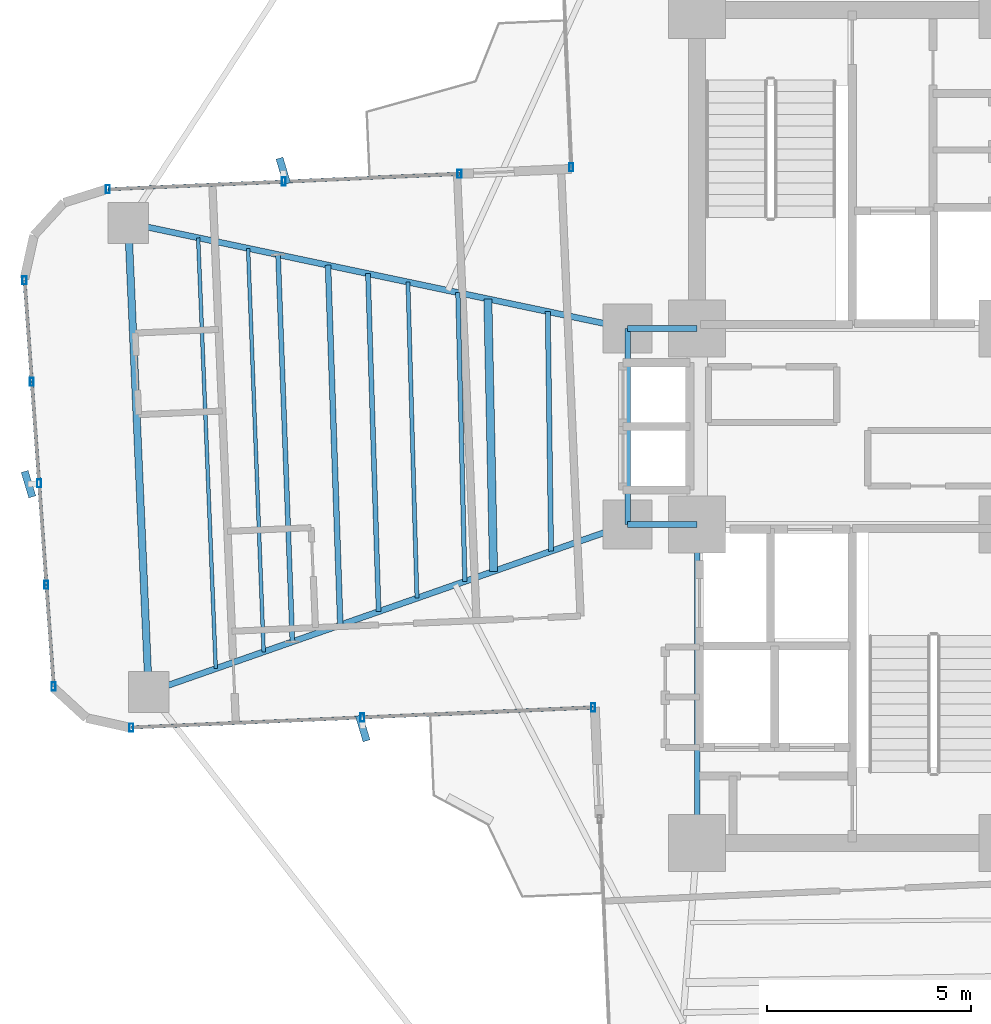
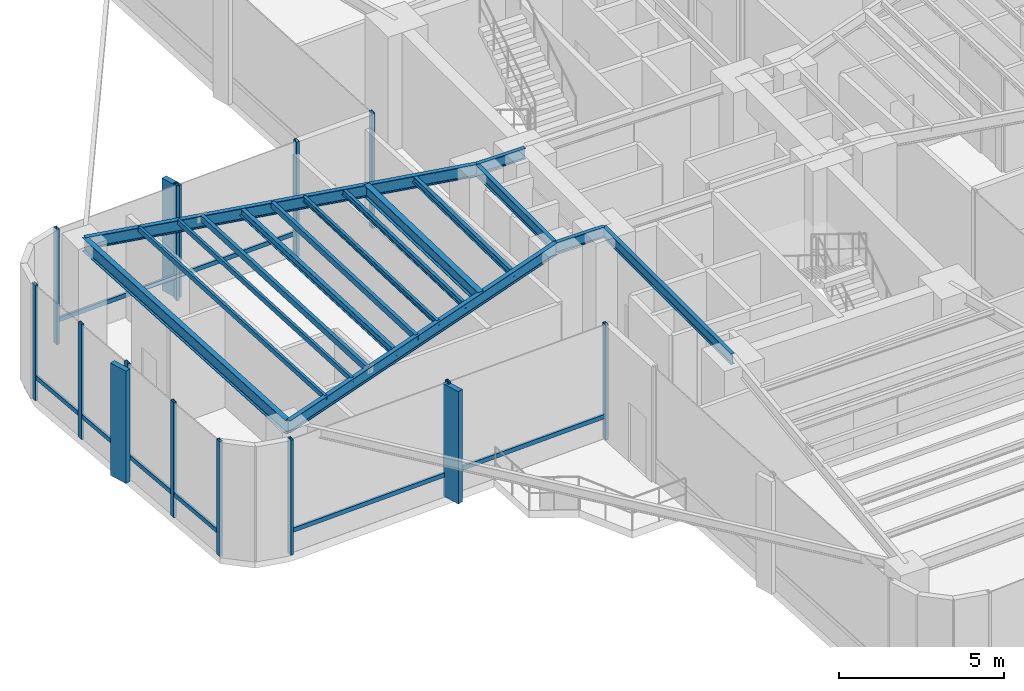
# One storey, part 4 of 23: 23 members, 16 beams, 4 elements without a shape of their own.
"""IFC4 building model written with IfcOpenShell, lengths in metres."""

from ifc_helpers import new_model, si_unit, direction, frame, origin, origin_2d, place, context, subcontext, project, spatial, rectangle, hollow_rectangle, i_section, extrude, source, transform, mapped, material, material_profile, profile_set, type_object, element, aggregate, save


model = new_model("IFC4")

# Units and contexts
model_context = context("Model", 3, precision=1e-05, world=origin(), true_north=direction((0.0, 1.0)))
body_context = subcontext(model_context, "Body", "Model", "MODEL_VIEW")
ifc_project = project(units=[si_unit("LENGTHUNIT", "METRE"), si_unit("AREAUNIT", "SQUARE_METRE"), si_unit("VOLUMEUNIT", "CUBIC_METRE"), si_unit("PLANEANGLEUNIT", "RADIAN"), si_unit("MASSUNIT", "GRAM", prefix="KILO")], contexts=[model_context])

# Site, building, storey
site_placement = place(None, origin())
site = spatial("IfcSite", under=ifc_project, at=site_placement, CompositionType="ELEMENT")
building_placement = place(site_placement, origin())
building = spatial("IfcBuilding", under=site, at=building_placement, Name="Sahyath Konkavel Grand Hotel", CompositionType="ELEMENT")
storey_placement = place(building_placement, frame((0.0, 0.0, 106.949951171875)))
storey = spatial("IfcBuildingStorey", under=building, at=storey_placement, Name="L29", CompositionType="ELEMENT", Elevation=106.949951171875)

# Beams
ifc_material_1 = material(Name="Steel E350", Category="steel")
ifc_material_profile_1 = material_profile(ifc_material_1, i_section(OverallWidth=0.139892578125, OverallDepth=0.39990234375, WebThickness=0.0087890625, FlangeThickness=0.01611328125, FilletRadius=0.013916015625, at=origin_2d()), Name="ISMB 400")
ifc_profile_set_1 = profile_set([ifc_material_profile_1], Name="Steel E350")
beam_type_1 = type_object("IfcBeamType", Name="BM-ISMB400", PredefinedType="BEAM", material=ifc_profile_set_1)
shared_shape_1 = source(origin(), body_context, "Body", "SweptSolid", [
    extrude(i_section(OverallWidth=0.139892578125, OverallDepth=0.39990234375, WebThickness=0.0087890625, FlangeThickness=0.01611328125, FilletRadius=0.013916015625, at=origin_2d()), origin(), (0.0, 0.0, 1.0), 7.800048828125),
])
beam_1_placement = place(storey_placement, frame((-3.800048828125, -10.199951171875, 4.06005859375), z_axis=(0.0, 1.0, 0.0), x_axis=(-1.0, 0.0, 0.0)))
element("IfcBeam", 1, at=beam_1_placement, inside=storey, type_object=beam_type_1, Name="str:bm:L29:SC-W", PredefinedType="BEAM", context=body_context, shape_type="MappedRepresentation", body=[
    mapped(shared_shape_1, transform((0.0, 0.0, 0.0), scale=1.0)),
])
shared_shape_2 = source(origin(), body_context, "Body", "SweptSolid", [
    extrude(i_section(OverallWidth=0.139892578125, OverallDepth=0.39990234375, WebThickness=0.0087890625, FlangeThickness=0.01611328125, FilletRadius=0.013916015625, at=origin_2d()), origin(), (0.0, 0.0, 1.0), 1.699951171875),
])
for number, where, z_axis, x_axis, name in (
    (2, (-5.5, 2.39990234375, 4.06005859375), (1.0, 0.0, 0.0), (0.0, 1.0, 0.0), "str:bm:L29:HB-NW"),
    (3, (-5.5, -2.39990234375, 4.06005859375), (1.0, 0.0, 0.0), (0.0, 1.0, 0.0), "str:bm:L29:HB-SW"),
):
    element("IfcBeam", number, at=place(storey_placement, frame(where, z_axis=z_axis, x_axis=x_axis)), inside=storey, type_object=beam_type_1, Name=name, PredefinedType="BEAM", context=body_context, shape_type="MappedRepresentation", body=[
        mapped(shared_shape_2, transform((0.0, 0.0, 0.0), scale=1.0)),
    ])
shared_shape_3 = source(origin(), body_context, "Body", "SweptSolid", [
    extrude(i_section(OverallWidth=0.139892578125, OverallDepth=0.39990234375, WebThickness=0.0087890625, FlangeThickness=0.01611328125, FilletRadius=0.013916015625, at=origin_2d()), origin(), (0.0, 0.0, 1.0), 4.7998046875),
])
beam_2_placement = place(storey_placement, frame((-5.5, -2.39990234375, 4.06005859375), z_axis=(0.0, 1.0, 0.0), x_axis=(-1.0, 0.0, 0.0)))
element("IfcBeam", 4, at=beam_2_placement, inside=storey, type_object=beam_type_1, Name="str:bm:L29:HB-W", PredefinedType="BEAM", context=body_context, shape_type="MappedRepresentation", body=[
    mapped(shared_shape_3, transform((0.0, 0.0, 0.0), scale=1.0)),
])
ifc_material_profile_2 = material_profile(ifc_material_1, i_section(OverallWidth=0.14990234375, OverallDepth=0.449951171875, WebThickness=0.009521484375, FlangeThickness=0.017333984375, FilletRadius=0.014892578125, at=origin_2d()), Name="ISMB 450")
ifc_profile_set_2 = profile_set([ifc_material_profile_2], Name="Steel E350")
beam_type_2 = type_object("IfcBeamType", Name="BM-ISMB450", PredefinedType="BEAM", material=ifc_profile_set_2)
shared_shape_4 = source(origin(), body_context, "Body", "SweptSolid", [
    extrude(i_section(OverallWidth=0.14990234375, OverallDepth=0.449951171875, WebThickness=0.009521484375, FlangeThickness=0.017333984375, FilletRadius=0.014892578125, at=origin_2d()), origin(), (0.0, 0.0, 1.0), 12.50341796875),
])
beam_3_placement = place(storey_placement, frame((-5.5, 2.39990234375, 4.03515625), z_axis=(-0.978457911392, 0.206446398937, 0.0), x_axis=(-0.206446398937, -0.978457911392, 0.0)))
element("IfcBeam", 5, at=beam_3_placement, inside=storey, type_object=beam_type_2, Name="L29 Cruciform Radial Girder WA", PredefinedType="BEAM", context=body_context, shape_type="MappedRepresentation", body=[
    mapped(shared_shape_4, transform((0.0, 0.0, 0.0), scale=1.0)),
])
shared_shape_5 = source(origin(), body_context, "Body", "SweptSolid", [
    extrude(i_section(OverallWidth=0.14990234375, OverallDepth=0.449951171875, WebThickness=0.009521484375, FlangeThickness=0.017333984375, FilletRadius=0.014892578125, at=origin_2d()), origin(), (0.0, 0.0, 1.0), 12.430908203125),
])
beam_4_placement = place(storey_placement, frame((-5.5, -2.39990234375, 4.03515625), z_axis=(-0.943819157235, -0.330462400941, 0.0), x_axis=(0.330462400941, -0.943819157235, 0.0)))
element("IfcBeam", 6, at=beam_4_placement, inside=storey, type_object=beam_type_2, Name="L29 Cruciform Radial Girder WB", PredefinedType="BEAM", context=body_context, shape_type="MappedRepresentation", body=[
    mapped(shared_shape_5, transform((0.0, 0.0, 0.0), scale=1.0)),
])
ifc_material_profile_3 = material_profile(ifc_material_1, i_section(OverallWidth=0.179931640625, OverallDepth=0.5, WebThickness=0.01025390625, FlangeThickness=0.01708984375, FilletRadius=0.01708984375, at=origin_2d()), Name="ISMB 500")
ifc_profile_set_3 = profile_set([ifc_material_profile_3], Name="Steel E350")
beam_type_3 = type_object("IfcBeamType", Name="BM-ISMB500", PredefinedType="BEAM", material=ifc_profile_set_3)
shared_shape_6 = source(origin(), body_context, "Body", "SweptSolid", [
    extrude(i_section(OverallWidth=0.179931640625, OverallDepth=0.5, WebThickness=0.01025390625, FlangeThickness=0.01708984375, FilletRadius=0.01708984375, at=origin_2d()), origin(), (0.0, 0.0, 1.0), 11.5),
])
beam_5_placement = place(storey_placement, frame((-17.734130859375, 4.981201171875, 4.010009765625), z_axis=(0.043627008892, -0.99904788879, 0.0), x_axis=(0.99904788879, 0.043627008892, 0.0)))
element("IfcBeam", 7, at=beam_5_placement, inside=storey, type_object=beam_type_3, Name="L29 Wing Tip Edge Beam W", PredefinedType="BEAM", context=body_context, shape_type="MappedRepresentation", body=[
    mapped(shared_shape_6, transform((0.0, 0.0, 0.0), scale=1.0)),
])
ifc_material_profile_4 = material_profile(ifc_material_1, i_section(OverallWidth=0.199951171875, OverallDepth=0.449951171875, WebThickness=0.00927734375, FlangeThickness=0.015380859375, FilletRadius=0.01611328125, at=origin_2d()), Name="ISWB 450")
ifc_profile_set_4 = profile_set([ifc_material_profile_4], Name="Steel E350")
beam_type_4 = type_object("IfcBeamType", Name="BM-ISWB450", PredefinedType="BEAM", material=ifc_profile_set_4)
shared_shape_7 = source(origin(), body_context, "Body", "SweptSolid", [
    extrude(i_section(OverallWidth=0.199951171875, OverallDepth=0.449951171875, WebThickness=0.00927734375, FlangeThickness=0.015380859375, FilletRadius=0.01611328125, at=origin_2d()), origin(), (0.0, 0.0, 1.0), 6.674560546875),
])
beam_6_placement = place(storey_placement, frame((-8.925537109375, 3.122802734375, 4.03515625), z_axis=(0.021032188543, -0.999778799058, 0.0), x_axis=(0.999778799058, 0.021032188543, 0.0)))
element("IfcBeam", 8, at=beam_6_placement, inside=storey, type_object=beam_type_4, Name="L29 Secondary Floor Beam W-1", PredefinedType="BEAM", context=body_context, shape_type="MappedRepresentation", body=[
    mapped(shared_shape_7, transform((0.0, 0.0, 0.0), scale=1.0)),
])
ifc_material_profile_5 = material_profile(ifc_material_1, hollow_rectangle(XDim=0.1201171875, YDim=0.219970703125, WallThickness=0.010009765625, at=origin_2d()), Name="RHS 220x120x10")
ifc_profile_set_5 = profile_set([ifc_material_profile_5], Name="Steel E350")
beam_type_5 = type_object("IfcBeamType", Name="BM-RHS220", PredefinedType="BEAM", material=ifc_profile_set_5)
shared_shape_8 = source(origin(), body_context, "Body", "SweptSolid", [
    extrude(hollow_rectangle(XDim=0.1201171875, YDim=0.219970703125, WallThickness=0.010009765625, at=origin_2d()), origin(), (0.0, 0.0, 1.0), 8.282470703125),
])
beam_7_placement = place(storey_placement, frame((-11.86181640625, 3.7421875, 4.150146484375), z_axis=(0.031510827707, -0.999503410568, 0.0), x_axis=(0.999503410568, 0.031510827707, 0.0)))
element("IfcBeam", 9, at=beam_7_placement, inside=storey, type_object=beam_type_5, Name="L29 Secondary Floor Beam W-2", PredefinedType="BEAM", context=body_context, shape_type="MappedRepresentation", body=[
    mapped(shared_shape_8, transform((0.0, 0.0, 0.0), scale=1.0)),
])
ifc_material_profile_6 = material_profile(ifc_material_1, hollow_rectangle(XDim=0.090087890625, YDim=0.179931640625, WallThickness=0.008056640625, at=origin_2d()), Name="RHS 180x90x8")
ifc_profile_set_6 = profile_set([ifc_material_profile_6], Name="Steel E350")
beam_type_6 = type_object("IfcBeamType", Name="BM-RHS180", PredefinedType="BEAM", material=ifc_profile_set_6)
shared_shape_9 = source(origin(), body_context, "Body", "SweptSolid", [
    extrude(hollow_rectangle(XDim=0.090087890625, YDim=0.179931640625, WallThickness=0.008056640625, at=origin_2d()), origin(), (0.0, 0.0, 1.0), 9.89111328125),
])
beam_8_placement = place(storey_placement, frame((-14.798095703125, 4.36181640625, 4.170166015625), z_axis=(0.03855445741, -0.999256500511, 0.0), x_axis=(0.999256500511, 0.03855445741, 0.0)))
element("IfcBeam", 10, at=beam_8_placement, inside=storey, type_object=beam_type_6, Name="L29 Secondary Floor Beam W-3", PredefinedType="BEAM", context=body_context, shape_type="MappedRepresentation", body=[
    mapped(shared_shape_9, transform((0.0, 0.0, 0.0), scale=1.0)),
])
ifc_material_profile_7 = material_profile(ifc_material_1, i_section(OverallWidth=0.125, OverallDepth=0.25, WebThickness=0.0068359375, FlangeThickness=0.012451171875, FilletRadius=0.012939453125, at=origin_2d()), Name="ISMB 250")
ifc_profile_set_7 = profile_set([ifc_material_profile_7], Name="Steel E350")
beam_type_7 = type_object("IfcBeamType", Name="BM-ISMB250", PredefinedType="BEAM", material=ifc_profile_set_7)
shared_shape_10 = source(origin(), body_context, "Body", "SweptSolid", [
    extrude(i_section(OverallWidth=0.125, OverallDepth=0.25, WebThickness=0.0068359375, FlangeThickness=0.012451171875, FilletRadius=0.012939453125, at=origin_2d()), origin(), (0.0, 0.0, 1.0), 5.870849609375),
])
beam_9_placement = place(storey_placement, frame((-7.45751953125, 2.81298828125, 4.135009765625), z_axis=(0.013681397685, -0.999906405299, 0.0), x_axis=(0.999906405299, 0.013681397685, 0.0)))
element("IfcBeam", 11, at=beam_9_placement, inside=storey, type_object=beam_type_7, Name="L29 Composite Deck Sub-Beam W-1", PredefinedType="BEAM", context=body_context, shape_type="MappedRepresentation", body=[
    mapped(shared_shape_10, transform((0.0, 0.0, 0.0), scale=1.0)),
])
ifc_material_profile_8 = material_profile(ifc_material_1, i_section(OverallWidth=0.110107421875, OverallDepth=0.22509765625, WebThickness=0.006591796875, FlangeThickness=0.01171875, FilletRadius=0.011962890625, at=origin_2d()), Name="ISMB 225")
ifc_profile_set_8 = profile_set([ifc_material_profile_8], Name="Steel E350")
beam_type_8 = type_object("IfcBeamType", Name="BM-ISMB225", PredefinedType="BEAM", material=ifc_profile_set_8)
shared_shape_11 = source(origin(), body_context, "Body", "SweptSolid", [
    extrude(i_section(OverallWidth=0.110107421875, OverallDepth=0.22509765625, WebThickness=0.006591796875, FlangeThickness=0.01171875, FilletRadius=0.011962890625, at=origin_2d()), origin(), (0.0, 0.0, 1.0), 7.076171875),
])
beam_10_placement = place(storey_placement, frame((-9.65966796875, 3.277587890625, 4.1474609375), z_axis=(0.024116396364, -0.999709157419, 0.0), x_axis=(0.999709157419, 0.024116396364, 0.0)))
element("IfcBeam", 12, at=beam_10_placement, inside=storey, type_object=beam_type_8, Name="L29 Composite Deck Sub-Beam W-2", PredefinedType="BEAM", context=body_context, shape_type="MappedRepresentation", body=[
    mapped(shared_shape_11, transform((0.0, 0.0, 0.0), scale=1.0)),
])
ifc_material_profile_9 = material_profile(ifc_material_1, i_section(OverallWidth=0.10009765625, OverallDepth=0.199951171875, WebThickness=0.005615234375, FlangeThickness=0.0107421875, FilletRadius=0.010986328125, at=origin_2d()), Name="ISMB 200")
ifc_profile_set_9 = profile_set([ifc_material_profile_9], Name="Steel E350")
beam_type_9 = type_object("IfcBeamType", Name="BM-ISMB200", PredefinedType="BEAM", material=ifc_profile_set_9)
shared_shape_12 = source(origin(), body_context, "Body", "SweptSolid", [
    extrude(i_section(OverallWidth=0.10009765625, OverallDepth=0.199951171875, WebThickness=0.005615234375, FlangeThickness=0.0107421875, FilletRadius=0.010986328125, at=origin_2d()), origin(), (0.0, 0.0, 1.0), 7.746337890625),
])
beam_11_placement = place(storey_placement, frame((-10.883056640625, 3.53564453125, 4.16015625), z_axis=(0.02849139268, -0.999594037869, 0.0), x_axis=(0.999594037869, 0.02849139268, 0.0)))
element("IfcBeam", 13, at=beam_11_placement, inside=storey, type_object=beam_type_9, Name="L29 Composite Deck Sub-Beam W-3", PredefinedType="BEAM", context=body_context, shape_type="MappedRepresentation", body=[
    mapped(shared_shape_12, transform((0.0, 0.0, 0.0), scale=1.0)),
])
ifc_material_profile_10 = material_profile(ifc_material_1, i_section(OverallWidth=0.139892578125, OverallDepth=0.27490234375, WebThickness=0.00634765625, FlangeThickness=0.0087890625, FilletRadius=0.012939453125, at=origin_2d()), Name="ISLB 275")
ifc_profile_set_10 = profile_set([ifc_material_profile_10], Name="Steel E350")
beam_type_10 = type_object("IfcBeamType", Name="BM-ISLB275", PredefinedType="BEAM", material=ifc_profile_set_10)
shared_shape_13 = source(origin(), body_context, "Body", "SweptSolid", [
    extrude(i_section(OverallWidth=0.139892578125, OverallDepth=0.27490234375, WebThickness=0.00634765625, FlangeThickness=0.0087890625, FilletRadius=0.012939453125, at=origin_2d()), origin(), (0.0, 0.0, 1.0), 8.818603515625),
])
beam_12_placement = place(storey_placement, frame((-12.840576171875, 3.94873046875, 4.12255859375), z_axis=(0.034135219852, -0.999417223569, 0.0), x_axis=(0.999417223569, 0.034135219852, 0.0)))
element("IfcBeam", 14, at=beam_12_placement, inside=storey, type_object=beam_type_10, Name="L29 Composite Deck Sub-Beam W-4", PredefinedType="BEAM", context=body_context, shape_type="MappedRepresentation", body=[
    mapped(shared_shape_13, transform((0.0, 0.0, 0.0), scale=1.0)),
])
shared_shape_14 = source(origin(), body_context, "Body", "SweptSolid", [
    extrude(hollow_rectangle(XDim=0.1201171875, YDim=0.219970703125, WallThickness=0.010009765625, at=origin_2d()), origin(), (0.0, 0.0, 1.0), 9.48876953125),
])
beam_13_placement = place(storey_placement, frame((-14.06396484375, 4.206787109375, 4.150146484375), z_axis=(0.03699928911, -0.99931529189, 0.0), x_axis=(0.99931529189, 0.03699928911, 0.0)))
element("IfcBeam", 15, at=beam_13_placement, inside=storey, type_object=beam_type_5, Name="L29 Composite Deck Sub-Beam W-5", PredefinedType="BEAM", context=body_context, shape_type="MappedRepresentation", body=[
    mapped(shared_shape_14, transform((0.0, 0.0, 0.0), scale=1.0)),
])
shared_shape_15 = source(origin(), body_context, "Body", "SweptSolid", [
    extrude(hollow_rectangle(XDim=0.090087890625, YDim=0.179931640625, WallThickness=0.008056640625, at=origin_2d()), origin(), (0.0, 0.0, 1.0), 10.5615234375),
])
beam_14_placement = place(storey_placement, frame((-16.021484375, 4.619873046875, 4.170166015625), z_axis=(0.040869027801, -0.999164512263, 0.0), x_axis=(0.999164512263, 0.040869027801, 0.0)))
element("IfcBeam", 16, at=beam_14_placement, inside=storey, type_object=beam_type_6, Name="L29 Composite Deck Sub-Beam W-6", PredefinedType="BEAM", context=body_context, shape_type="MappedRepresentation", body=[
    mapped(shared_shape_15, transform((0.0, 0.0, 0.0), scale=1.0)),
])

# Curtain wall, member
ifc_material_2 = material(Name="Anodised Bronze Aluminium & Low-E Glazing", Category="aluminium")
curtain_wall_type = type_object("IfcCurtainWallType", Name="CW-SKYLOBBY", PredefinedType="NOTDEFINED", material=ifc_material_2)
curtain_wall_1_placement = place(storey_placement, origin())
curtain_wall_1 = element("IfcCurtainWall", 17, at=curtain_wall_1_placement, inside=storey, type_object=curtain_wall_type, Name="L29 Unitised Curtain Wall F15", PredefinedType="NOTDEFINED")
ifc_material_3 = material(Name="Anodised Bronze Aluminium", Category="aluminium")
ifc_material_profile_11 = material_profile(ifc_material_3, hollow_rectangle(XDim=0.10009765625, YDim=0.199951171875, WallThickness=0.008056640625, at=origin_2d()), Name="RHS 200x100x8")
ifc_profile_set_11 = profile_set([ifc_material_profile_11], Name="Anodised Bronze Aluminium")
member_type_1 = type_object("IfcMemberType", Name="CW-MUL-200", PredefinedType="MULLION", material=ifc_profile_set_11)
shared_shape_16 = source(origin(), body_context, "Body", "SweptSolid", [
    extrude(hollow_rectangle(XDim=0.10009765625, YDim=0.199951171875, WallThickness=0.008056640625, at=origin_2d()), origin(), (0.0, 0.0, 1.0), 4.260009765625),
])
member_1_placement = place(storey_placement, frame((-6.88330078125, 6.345703125, 0.0), z_axis=(0.0, 0.0, 1.0), x_axis=(1.0, 0.0, 0.0)))
member_1 = element("IfcMember", 18, at=member_1_placement, type_object=member_type_1, Name="L29 Curtain Wall Mullion F15-2", PredefinedType="MULLION", context=body_context, shape_type="MappedRepresentation", body=[
    mapped(shared_shape_16, transform((0.0, 0.0, 0.0), scale=1.0)),
])
aggregate(curtain_wall_1, [member_1])

# Curtain wall, members
curtain_wall_2_placement = place(storey_placement, origin())
curtain_wall_2 = element("IfcCurtainWall", 19, at=curtain_wall_2_placement, inside=storey, type_object=curtain_wall_type, Name="L29 Unitised Curtain Wall F16", PredefinedType="NOTDEFINED")
member_2_placement = place(storey_placement, frame((-9.618896484375, 6.186279296875, 0.0), z_axis=(0.0, 0.0, 1.0), x_axis=(1.0, 0.0, 0.0)))
member_2 = element("IfcMember", 20, at=member_2_placement, type_object=member_type_1, Name="L29 Curtain Wall Mullion F16-0", PredefinedType="MULLION", context=body_context, shape_type="MappedRepresentation", body=[
    mapped(shared_shape_16, transform((0.0, 0.0, 0.0), scale=1.0)),
])
member_3_placement = place(storey_placement, frame((-13.9248046875, 5.998291015625, 0.0), z_axis=(0.0, 0.0, 1.0), x_axis=(1.0, 0.0, 0.0)))
member_3 = element("IfcMember", 21, at=member_3_placement, type_object=member_type_1, Name="L29 Curtain Wall Mullion F16-1", PredefinedType="MULLION", context=body_context, shape_type="MappedRepresentation", body=[
    mapped(shared_shape_16, transform((0.0, 0.0, 0.0), scale=1.0)),
])
member_4_placement = place(storey_placement, frame((-18.230712890625, 5.810302734375, 0.0), z_axis=(0.0, 0.0, 1.0), x_axis=(1.0, 0.0, 0.0)))
member_4 = element("IfcMember", 22, at=member_4_placement, type_object=member_type_1, Name="L29 Curtain Wall Mullion F16-2", PredefinedType="MULLION", context=body_context, shape_type="MappedRepresentation", body=[
    mapped(shared_shape_16, transform((0.0, 0.0, 0.0), scale=1.0)),
])

curtain_wall_3_placement = place(storey_placement, origin())
curtain_wall_3 = element("IfcCurtainWall", 23, at=curtain_wall_3_placement, inside=storey, type_object=curtain_wall_type, Name="L29 Unitised Curtain Wall F20", PredefinedType="NOTDEFINED")
member_5_placement = place(storey_placement, frame((-20.2744140625, 3.5791015625, 0.0), z_axis=(0.0, 0.0, 1.0), x_axis=(1.0, 0.0, 0.0)))
member_5 = element("IfcMember", 24, at=member_5_placement, type_object=member_type_1, Name="L29 Curtain Wall Mullion F20-0", PredefinedType="MULLION", context=body_context, shape_type="MappedRepresentation", body=[
    mapped(shared_shape_16, transform((0.0, 0.0, 0.0), scale=1.0)),
])
member_6_placement = place(storey_placement, frame((-20.095947265625, 1.092041015625, 0.0), z_axis=(0.0, 0.0, 1.0), x_axis=(1.0, 0.0, 0.0)))
member_6 = element("IfcMember", 25, at=member_6_placement, type_object=member_type_1, Name="L29 Curtain Wall Mullion F20-1", PredefinedType="MULLION", context=body_context, shape_type="MappedRepresentation", body=[
    mapped(shared_shape_16, transform((0.0, 0.0, 0.0), scale=1.0)),
])
member_7_placement = place(storey_placement, frame((-19.91748046875, -1.39501953125, 0.0), z_axis=(0.0, 0.0, 1.0), x_axis=(1.0, 0.0, 0.0)))
member_7 = element("IfcMember", 26, at=member_7_placement, type_object=member_type_1, Name="L29 Curtain Wall Mullion F20-2", PredefinedType="MULLION", context=body_context, shape_type="MappedRepresentation", body=[
    mapped(shared_shape_16, transform((0.0, 0.0, 0.0), scale=1.0)),
])
member_8_placement = place(storey_placement, frame((-19.739013671875, -3.882080078125, 0.0), z_axis=(0.0, 0.0, 1.0), x_axis=(1.0, 0.0, 0.0)))
member_8 = element("IfcMember", 27, at=member_8_placement, type_object=member_type_1, Name="L29 Curtain Wall Mullion F20-3", PredefinedType="MULLION", context=body_context, shape_type="MappedRepresentation", body=[
    mapped(shared_shape_16, transform((0.0, 0.0, 0.0), scale=1.0)),
])
member_9_placement = place(storey_placement, frame((-19.560546875, -6.369384765625, 0.0), z_axis=(0.0, 0.0, 1.0), x_axis=(1.0, 0.0, 0.0)))
member_9 = element("IfcMember", 28, at=member_9_placement, type_object=member_type_1, Name="L29 Curtain Wall Mullion F20-4", PredefinedType="MULLION", context=body_context, shape_type="MappedRepresentation", body=[
    mapped(shared_shape_16, transform((0.0, 0.0, 0.0), scale=1.0)),
])

curtain_wall_4_placement = place(storey_placement, origin())
curtain_wall_4 = element("IfcCurtainWall", 29, at=curtain_wall_4_placement, inside=storey, type_object=curtain_wall_type, Name="L29 Unitised Curtain Wall F23", PredefinedType="NOTDEFINED")
member_10_placement = place(storey_placement, frame((-17.655029296875, -7.377197265625, 0.0), z_axis=(0.0, 0.0, 1.0), x_axis=(1.0, 0.0, 0.0)))
member_10 = element("IfcMember", 30, at=member_10_placement, type_object=member_type_1, Name="L29 Curtain Wall Mullion F23-0", PredefinedType="MULLION", context=body_context, shape_type="MappedRepresentation", body=[
    mapped(shared_shape_16, transform((0.0, 0.0, 0.0), scale=1.0)),
])
member_11_placement = place(storey_placement, frame((-12.00048828125, -7.13037109375, 0.0), z_axis=(0.0, 0.0, 1.0), x_axis=(1.0, 0.0, 0.0)))
member_11 = element("IfcMember", 31, at=member_11_placement, type_object=member_type_1, Name="L29 Curtain Wall Mullion F23-1", PredefinedType="MULLION", context=body_context, shape_type="MappedRepresentation", body=[
    mapped(shared_shape_16, transform((0.0, 0.0, 0.0), scale=1.0)),
])
member_12_placement = place(storey_placement, frame((-6.345703125, -6.88330078125, 0.0), z_axis=(0.0, 0.0, 1.0), x_axis=(1.0, 0.0, 0.0)))
member_12 = element("IfcMember", 32, at=member_12_placement, type_object=member_type_1, Name="L29 Curtain Wall Mullion F23-2", PredefinedType="MULLION", context=body_context, shape_type="MappedRepresentation", body=[
    mapped(shared_shape_16, transform((0.0, 0.0, 0.0), scale=1.0)),
])

# Member
ifc_material_4 = material(Name="Warm Buff Sandstone Cladding on Concrete C50/60", Category="masonry")
ifc_material_profile_12 = material_profile(ifc_material_4, rectangle(XDim=0.179931640625, YDim=0.64990234375, at=origin_2d()), Name="FIN 180x650")
ifc_profile_set_12 = profile_set([ifc_material_profile_12], Name="Warm Buff Sandstone Cladding on Concrete C50/60")
member_type_2 = type_object("IfcMemberType", Name="FIN-SANDSTONE-650", PredefinedType="MULLION", material=ifc_profile_set_12)
shared_shape_17 = source(origin(), body_context, "Body", "SweptSolid", [
    extrude(rectangle(XDim=0.179931640625, YDim=0.64990234375, at=origin_2d()), origin(), (0.0, 0.0, 1.0), 4.159912109375),
])
member_13_placement = place(storey_placement, frame((-13.936279296875, 6.258056640625, 0.050048828125), z_axis=(0.0, 0.0, 1.0), x_axis=(0.958720536398, 0.28435001862, 0.0)))
member_13 = element("IfcMember", 33, at=member_13_placement, type_object=member_type_2, Name="L29 Sandstone Vertical Solar Fin FIN F16-1", PredefinedType="MULLION", context=body_context, shape_type="MappedRepresentation", body=[
    mapped(shared_shape_17, transform((0.0, 0.0, 0.0), scale=1.0)),
])

member_14_placement = place(storey_placement, frame((-20.1767578125, -1.413818359375, 0.050048828125), z_axis=(0.0, 0.0, 1.0), x_axis=(0.957621645958, 0.288029136015, 0.0)))
member_14 = element("IfcMember", 34, at=member_14_placement, type_object=member_type_2, Name="L29 Sandstone Vertical Solar Fin FIN F20-2", PredefinedType="MULLION", context=body_context, shape_type="MappedRepresentation", body=[
    mapped(shared_shape_17, transform((0.0, 0.0, 0.0), scale=1.0)),
])

member_15_placement = place(storey_placement, frame((-11.989013671875, -7.39013671875, 0.050048828125), z_axis=(0.0, 0.0, 1.0), x_axis=(0.958720536398, 0.28435001862, 0.0)))
member_15 = element("IfcMember", 35, at=member_15_placement, type_object=member_type_2, Name="L29 Sandstone Vertical Solar Fin FIN F23-1", PredefinedType="MULLION", context=body_context, shape_type="MappedRepresentation", body=[
    mapped(shared_shape_17, transform((0.0, 0.0, 0.0), scale=1.0)),
])

ifc_material_profile_13 = material_profile(ifc_material_3, hollow_rectangle(XDim=0.080078125, YDim=0.159912109375, WallThickness=0.006103515625, at=origin_2d()), Name="RHS 160x80x6")
ifc_profile_set_13 = profile_set([ifc_material_profile_13], Name="Anodised Bronze Aluminium")
member_type_3 = type_object("IfcMemberType", Name="CW-TRN-160", PredefinedType="USERDEFINED", material=ifc_profile_set_13)
shared_shape_18 = source(origin(), body_context, "Body", "SweptSolid", [
    extrude(hollow_rectangle(XDim=0.080078125, YDim=0.159912109375, WallThickness=0.006103515625, at=origin_2d()), origin(), (0.0, 0.0, 1.0), 4.31005859375),
])
member_16_placement = place(storey_placement, frame((-9.618896484375, 6.186279296875, 0.85009765625), z_axis=(-0.999048340188, -0.043616670746, 0.0), x_axis=(0.043616670746, -0.999048340188, 0.0)))
member_16 = element("IfcMember", 36, at=member_16_placement, type_object=member_type_3, Name="L29 Curtain Wall Transom F16-0-spandrel", ObjectType="TRANSOM", PredefinedType="USERDEFINED", context=body_context, shape_type="MappedRepresentation", body=[
    mapped(shared_shape_18, transform((0.0, 0.0, 0.0), scale=1.0)),
])

member_17_placement = place(storey_placement, frame((-13.9248046875, 5.998291015625, 0.85009765625), z_axis=(-0.999048340188, -0.043616670746, 0.0), x_axis=(0.043616670746, -0.999048340188, 0.0)))
member_17 = element("IfcMember", 37, at=member_17_placement, type_object=member_type_3, Name="L29 Curtain Wall Transom F16-1-spandrel", ObjectType="TRANSOM", PredefinedType="USERDEFINED", context=body_context, shape_type="MappedRepresentation", body=[
    mapped(shared_shape_18, transform((0.0, 0.0, 0.0), scale=1.0)),
])

aggregate(curtain_wall_2, [member_2, member_3, member_13, member_4, member_16, member_17])

shared_shape_19 = source(origin(), body_context, "Body", "SweptSolid", [
    extrude(hollow_rectangle(XDim=0.080078125, YDim=0.159912109375, WallThickness=0.006103515625, at=origin_2d()), origin(), (0.0, 0.0, 1.0), 2.493408203125),
])
member_18_placement = place(storey_placement, frame((-20.2744140625, 3.5791015625, 0.85009765625), z_axis=(0.071574084062, -0.997435286367, 0.0), x_axis=(0.997435286367, 0.071574084062, 0.0)))
member_18 = element("IfcMember", 38, at=member_18_placement, type_object=member_type_3, Name="L29 Curtain Wall Transom F20-0-spandrel", ObjectType="TRANSOM", PredefinedType="USERDEFINED", context=body_context, shape_type="MappedRepresentation", body=[
    mapped(shared_shape_19, transform((0.0, 0.0, 0.0), scale=1.0)),
])

member_19_placement = place(storey_placement, frame((-20.095947265625, 1.092041015625, 0.85009765625), z_axis=(0.071574084062, -0.997435286367, 0.0), x_axis=(0.997435286367, 0.071574084062, 0.0)))
member_19 = element("IfcMember", 39, at=member_19_placement, type_object=member_type_3, Name="L29 Curtain Wall Transom F20-1-spandrel", ObjectType="TRANSOM", PredefinedType="USERDEFINED", context=body_context, shape_type="MappedRepresentation", body=[
    mapped(shared_shape_19, transform((0.0, 0.0, 0.0), scale=1.0)),
])

member_20_placement = place(storey_placement, frame((-19.91748046875, -1.39501953125, 0.85009765625), z_axis=(0.071574084062, -0.997435286367, 0.0), x_axis=(0.997435286367, 0.071574084062, 0.0)))
member_20 = element("IfcMember", 40, at=member_20_placement, type_object=member_type_3, Name="L29 Curtain Wall Transom F20-2-spandrel", ObjectType="TRANSOM", PredefinedType="USERDEFINED", context=body_context, shape_type="MappedRepresentation", body=[
    mapped(shared_shape_19, transform((0.0, 0.0, 0.0), scale=1.0)),
])

shared_shape_20 = source(origin(), body_context, "Body", "SweptSolid", [
    extrude(hollow_rectangle(XDim=0.080078125, YDim=0.159912109375, WallThickness=0.006103515625, at=origin_2d()), origin(), (0.0, 0.0, 1.0), 2.49365234375),
])
member_21_placement = place(storey_placement, frame((-19.739013671875, -3.882080078125, 0.85009765625), z_axis=(0.071567094714, -0.997435787885, 0.0), x_axis=(0.997435787885, 0.071567094714, 0.0)))
member_21 = element("IfcMember", 41, at=member_21_placement, type_object=member_type_3, Name="L29 Curtain Wall Transom F20-3-spandrel", ObjectType="TRANSOM", PredefinedType="USERDEFINED", context=body_context, shape_type="MappedRepresentation", body=[
    mapped(shared_shape_20, transform((0.0, 0.0, 0.0), scale=1.0)),
])

aggregate(curtain_wall_3, [member_5, member_6, member_7, member_14, member_8, member_9, member_18, member_19, member_20, member_21])

shared_shape_21 = source(origin(), body_context, "Body", "SweptSolid", [
    extrude(hollow_rectangle(XDim=0.080078125, YDim=0.159912109375, WallThickness=0.006103515625, at=origin_2d()), origin(), (0.0, 0.0, 1.0), 5.659912109375),
])
member_22_placement = place(storey_placement, frame((-17.655029296875, -7.377197265625, 0.85009765625), z_axis=(0.999048655935, 0.043609437898, 0.0), x_axis=(-0.043609437898, 0.999048655935, 0.0)))
member_22 = element("IfcMember", 42, at=member_22_placement, type_object=member_type_3, Name="L29 Curtain Wall Transom F23-0-spandrel", ObjectType="TRANSOM", PredefinedType="USERDEFINED", context=body_context, shape_type="MappedRepresentation", body=[
    mapped(shared_shape_21, transform((0.0, 0.0, 0.0), scale=1.0)),
])

shared_shape_22 = source(origin(), body_context, "Body", "SweptSolid", [
    extrude(hollow_rectangle(XDim=0.080078125, YDim=0.159912109375, WallThickness=0.006103515625, at=origin_2d()), origin(), (0.0, 0.0, 1.0), 5.66015625),
])
member_23_placement = place(storey_placement, frame((-12.00048828125, -7.13037109375, 0.85009765625), z_axis=(0.9990468579, 0.043650609628, 0.0), x_axis=(-0.043650609628, 0.9990468579, 0.0)))
member_23 = element("IfcMember", 43, at=member_23_placement, type_object=member_type_3, Name="L29 Curtain Wall Transom F23-1-spandrel", ObjectType="TRANSOM", PredefinedType="USERDEFINED", context=body_context, shape_type="MappedRepresentation", body=[
    mapped(shared_shape_22, transform((0.0, 0.0, 0.0), scale=1.0)),
])

aggregate(curtain_wall_4, [member_10, member_11, member_15, member_12, member_22, member_23])

save(model, "model.ifc")
